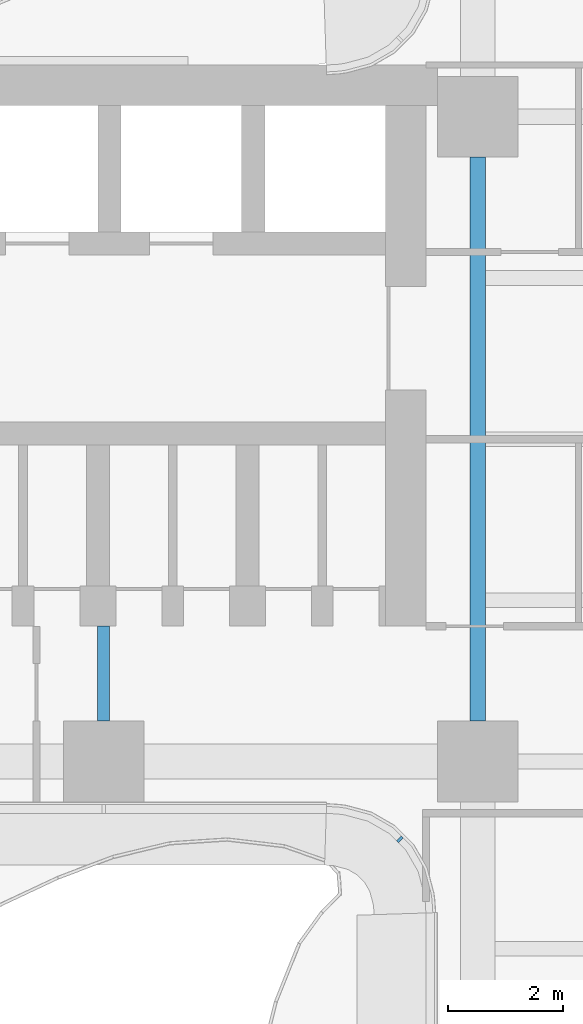
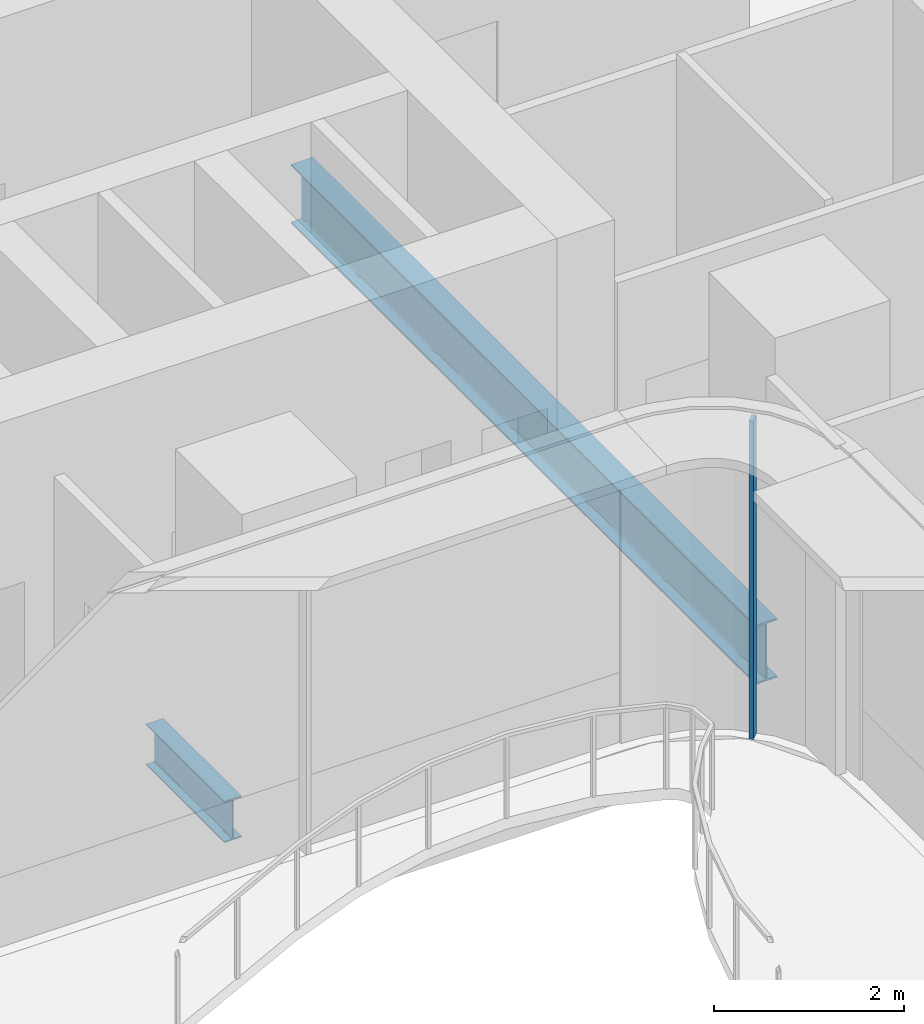
# One storey, part 4 of 22: 2 beams, 1 member, 1 element without a shape of its own.
"""IFC4 building model written with IfcOpenShell, lengths in metres."""

import ifcopenshell
import ifcopenshell.guid

model = None  # the IFC model being written
_history = None  # IfcOwnerHistory: only IFC2X3 demands one
_inside = {}  # id of a spatial element -> (the spatial element, [elements in it])
_under = {}  # id of a project, library or spatial element -> (it, [spatial elements below it])
_declared = {}  # id of a project -> (the project, [libraries it declares])
_typed = {}  # id of a type object -> (the type object, [elements of that type])
_made_of = {}  # id of a material, layer set ... -> (it, [elements and type objects made of it])


def new_model(schema):
    """Start an empty IFC model of exactly this schema.

    Asked for "IFC4X3", IfcOpenShell would pick the latest addendum, in which some entities
    have other attributes; the version numbers below select the first issue.
    IFC2X3 requires an IfcOwnerHistory on every rooted entity: one is made here for all.
    """
    global model, _history
    if schema == "IFC4X3":
        model = ifcopenshell.file(schema_version=(4, 3, 0, 0))
    else:
        model = ifcopenshell.file(schema=schema)
    _inside.clear()
    _under.clear()
    _declared.clear()
    _typed.clear()
    _made_of.clear()
    _history = None
    if model.schema == "IFC2X3":
        org = make("IfcOrganization", Name="unknown")
        user = make(
            "IfcPersonAndOrganization",
            ThePerson=make("IfcPerson", FamilyName="unknown"),
            TheOrganization=org,
        )
        app = make(
            "IfcApplication",
            ApplicationDeveloper=org,
            Version="unknown",
            ApplicationFullName="unknown",
            ApplicationIdentifier="unknown",
        )
        _history = make(
            "IfcOwnerHistory",
            OwningUser=user,
            OwningApplication=app,
            ChangeAction="ADDED",
            CreationDate=0,
        )
    return model


def make(cls, **values):
    """One entity of the class cls with the attributes given. An attribute that is None is left unset."""
    return model.create_entity(
        cls, **{name: value for name, value in values.items() if value is not None}
    )


def rooted(cls, **values):
    """An entity with a GlobalId (a new one), such as an element, a storey or a relation."""
    return make(cls, GlobalId=ifcopenshell.guid.new(), OwnerHistory=_history, **values)


def si_unit(unit_type, name, prefix=None):
    """IfcSIUnit, for example si_unit("LENGTHUNIT", "METRE", prefix="MILLI")."""
    return make("IfcSIUnit", UnitType=unit_type, Prefix=prefix, Name=name)


def assignment(units):
    """IfcUnitAssignment: the units of a project."""
    return None if units is None else make("IfcUnitAssignment", Units=units)


def point(xyz):
    """IfcCartesianPoint."""
    return None if xyz is None else make("IfcCartesianPoint", Coordinates=xyz)


def direction(xyz):
    """IfcDirection."""
    return None if xyz is None else make("IfcDirection", DirectionRatios=xyz)


def frame(location, z_axis=None, x_axis=None):
    """IfcAxis2Placement3D, a coordinate frame: its origin and axes. An axis left out is left unset."""
    return make(
        "IfcAxis2Placement3D",
        Location=point(location),
        Axis=direction(z_axis),
        RefDirection=direction(x_axis),
    )


def frame_2d(location, x_axis=None):
    """IfcAxis2Placement2D, a coordinate frame in the plane: its origin and x axis."""
    return make(
        "IfcAxis2Placement2D", Location=point(location), RefDirection=direction(x_axis)
    )


def origin():
    """The frame at (0, 0, 0) with its axes left unset."""
    return frame((0.0, 0.0, 0.0))


def origin_2d():
    """The frame at (0, 0) in the plane with its x axis left unset."""
    return frame_2d((0.0, 0.0))


def place(relative_to, where):
    """IfcLocalPlacement: puts the frame where relative to a parent placement (None: the world)."""
    return make(
        "IfcLocalPlacement", PlacementRelTo=relative_to, RelativePlacement=where
    )


def context(
    kind, dimensions, precision=None, world=None, true_north=None, identifier=None
):
    """IfcGeometricRepresentationContext, for example the 3D "Model" context."""
    return make(
        "IfcGeometricRepresentationContext",
        ContextIdentifier=identifier,
        ContextType=kind,
        CoordinateSpaceDimension=dimensions,
        Precision=precision,
        WorldCoordinateSystem=world,
        TrueNorth=true_north,
    )


def subcontext(parent, identifier, kind, view, scale=None):
    """IfcGeometricRepresentationSubContext, for example "Body" below "Model"."""
    return make(
        "IfcGeometricRepresentationSubContext",
        ContextIdentifier=identifier,
        ContextType=kind,
        ParentContext=parent,
        TargetScale=scale,
        TargetView=view,
    )


def project(units=None, contexts=None):
    """IfcProject with its units and contexts."""
    return rooted(
        "IfcProject",
        Name="project",
        RepresentationContexts=contexts,
        UnitsInContext=assignment(units),
    )


def spatial(cls, under=None, at=None, **own):
    """A site, building, storey or space (cls), placed at a placement, below another one or the project."""
    s = rooted(cls, ObjectPlacement=at, **own)
    if under is not None:
        _under.setdefault(under.id(), (under, []))[1].append(s)
    return s


def profile(cls, at=None, kind="AREA", **sizes):
    """A parametric profile (cls). Its sizes go by their IFC names, for example OverallWidth=200.0."""
    return make(cls, ProfileType=kind, Position=at, **sizes)


def rectangle(**sizes):
    """IfcRectangleProfileDef."""
    return profile("IfcRectangleProfileDef", **sizes)


def i_section(**sizes):
    """IfcIShapeProfileDef."""
    return profile("IfcIShapeProfileDef", **sizes)


def extrude(swept, where, along, depth):
    """IfcExtrudedAreaSolid: the profile swept, set in the frame where, extruded along a direction by depth."""
    return make(
        "IfcExtrudedAreaSolid",
        SweptArea=swept,
        Position=where,
        ExtrudedDirection=direction(along),
        Depth=depth,
    )


def shape(context_of_items, identifier, shape_type, items):
    """IfcShapeRepresentation: the items that make up one representation, for example the "Body"."""
    return make(
        "IfcShapeRepresentation",
        ContextOfItems=context_of_items,
        RepresentationIdentifier=identifier,
        RepresentationType=shape_type,
        Items=items,
    )


def source(mapping_origin, context_of_items, identifier, shape_type, items):
    """IfcRepresentationMap: a shape defined once, which mapped items show again and again."""
    return make(
        "IfcRepresentationMap",
        MappingOrigin=mapping_origin,
        MappedRepresentation=shape(context_of_items, identifier, shape_type, items),
    )


def transform(
    local_origin,
    x_axis=None,
    y_axis=None,
    z_axis=None,
    scale=None,
    scale2=None,
    scale3=None,
    uniform=True,
):
    """IfcCartesianTransformationOperator3D, or its non-uniform kind. x_axis, y_axis, z_axis: its Axis1, 2, 3."""
    if uniform:
        return make(
            "IfcCartesianTransformationOperator3D",
            Axis1=direction(x_axis),
            Axis2=direction(y_axis),
            LocalOrigin=point(local_origin),
            Scale=scale,
            Axis3=direction(z_axis),
        )
    return make(
        "IfcCartesianTransformationOperator3DnonUniform",
        Axis1=direction(x_axis),
        Axis2=direction(y_axis),
        LocalOrigin=point(local_origin),
        Scale=scale,
        Axis3=direction(z_axis),
        Scale2=scale2,
        Scale3=scale3,
    )


def mapped(mapping_source, mapping_target):
    """IfcMappedItem: shows the shape of a source again, moved by a transform."""
    return make(
        "IfcMappedItem", MappingSource=mapping_source, MappingTarget=mapping_target
    )


def material(Name=None, Category=None):
    """IfcMaterial."""
    return make("IfcMaterial", Name=Name, Category=Category)


def layer(
    of_material, thickness, ventilated=None, Name=None, Category=None, Priority=None
):
    """IfcMaterialLayer: one layer of a wall or slab, of a material (None: an air gap)."""
    return make(
        "IfcMaterialLayer",
        Material=of_material,
        LayerThickness=thickness,
        IsVentilated=ventilated,
        Name=Name,
        Category=Category,
        Priority=Priority,
    )


def layer_set(layers, Name=None):
    """IfcMaterialLayerSet."""
    return make("IfcMaterialLayerSet", MaterialLayers=layers, LayerSetName=Name)


def material_profile(
    of_material, cross_section, Name=None, Category=None, Priority=None
):
    """IfcMaterialProfile: a cross section and its material."""
    return make(
        "IfcMaterialProfile",
        Name=Name,
        Material=of_material,
        Profile=cross_section,
        Priority=Priority,
        Category=Category,
    )


def profile_set(profiles, Name=None, composite=None):
    """IfcMaterialProfileSet."""
    return make(
        "IfcMaterialProfileSet",
        Name=Name,
        MaterialProfiles=profiles,
        CompositeProfile=composite,
    )


def made_of(thing, what):
    """Note that an element or type object is made of a material, layer set ...; save() writes the relation."""
    if what is not None:
        _made_of.setdefault(what.id(), (what, []))[1].append(thing)
    return thing


def type_object(cls, material=None, **own):
    """A type object (cls), such as IfcWallType, which elements share."""
    return made_of(rooted(cls, **own), material)


def element(
    cls,
    number,
    at=None,
    inside=None,
    cuts=None,
    type_object=None,
    material=None,
    context=None,
    identifier="Body",
    shape_type=None,
    held_by="IfcProductDefinitionShape",
    body=None,
    shapes=None,
    **own,
):
    """One element of the class cls, such as IfcWall. Its Tag is "e" and its number.

    at: its placement. inside: the storey or other place that contains it. cuts: it is an
    opening in that element (IfcRelVoidsElement). A single representation is given by context,
    identifier, shape_type and body (its items); several are given by shapes. held_by: the class
    of the entity that holds the representations. save() writes the other relations.
    """
    e = rooted(cls, Tag="e%d" % number, ObjectPlacement=at, **own)
    if body is not None:
        shapes = [shape(context, identifier, shape_type, body)]
    if shapes is not None:
        e.Representation = make(held_by, Representations=shapes)
    if inside is not None:
        _inside.setdefault(inside.id(), (inside, []))[1].append(e)
    if cuts is not None:
        rooted(
            "IfcRelVoidsElement", RelatingBuildingElement=cuts, RelatedOpeningElement=e
        )
    if type_object is not None:
        _typed.setdefault(type_object.id(), (type_object, []))[1].append(e)
    return made_of(e, material)


def aggregate(whole, parts):
    """IfcRelAggregates: a whole, such as a stair, and the parts it consists of."""
    return rooted("IfcRelAggregates", RelatingObject=whole, RelatedObjects=parts)


def save(model, path):
    """Write the relations noted so far, then the file.

    IfcRelAggregates (storeys below a building ...), IfcRelContainedInSpatialStructure (elements
    in a storey), IfcRelDefinesByType, IfcRelAssociatesMaterial and IfcRelDeclares: one each for
    every whole, place, type object, material and project.
    """
    for whole, parts in _under.values():
        aggregate(whole, parts)
    for where, things in _inside.values():
        rooted(
            "IfcRelContainedInSpatialStructure",
            RelatedElements=things,
            RelatingStructure=where,
        )
    for kind, things in _typed.values():
        rooted("IfcRelDefinesByType", RelatedObjects=things, RelatingType=kind)
    for what, things in _made_of.values():
        rooted("IfcRelAssociatesMaterial", RelatedObjects=things, RelatingMaterial=what)
    for by, libraries in _declared.values():
        rooted("IfcRelDeclares", RelatingContext=by, RelatedDefinitions=libraries)
    model.write(path)


model = new_model("IFC4")

# Units and contexts
model_context = context("Model", 3, precision=1e-05, world=origin(), true_north=direction((0.0, 1.0)))
body_context = subcontext(model_context, "Body", "Model", "MODEL_VIEW")
ifc_project = project(units=[si_unit("LENGTHUNIT", "METRE"), si_unit("AREAUNIT", "SQUARE_METRE"), si_unit("VOLUMEUNIT", "CUBIC_METRE"), si_unit("PLANEANGLEUNIT", "RADIAN"), si_unit("MASSUNIT", "GRAM", prefix="KILO")], contexts=[model_context])

# Site, building, storey
site_placement = place(None, origin())
site = spatial("IfcSite", under=ifc_project, at=site_placement, CompositionType="ELEMENT")
building_placement = place(site_placement, origin())
building = spatial("IfcBuilding", under=site, at=building_placement, Name="Trellis Farm Tower", CompositionType="ELEMENT")
storey_placement = place(building_placement, frame((0.0, 0.0, 79.0)))
storey = spatial("IfcBuildingStorey", under=building, at=storey_placement, Name="L16", CompositionType="ELEMENT", Elevation=79.0)

# Beams
ifc_material_1 = material(Name="Steel S355", Category="steel")
ifc_material_profile_1 = material_profile(ifc_material_1, i_section(OverallWidth=0.2666015625, OverallDepth=0.76220703125, WebThickness=0.014404296875, FlangeThickness=0.021484375, FilletRadius=0.0166015625, at=origin_2d()), Name="UB 762x267x173")
ifc_profile_set_1 = profile_set([ifc_material_profile_1], Name="Steel S355")
beam_type_1 = type_object("IfcBeamType", Name="UB 762x267x173", PredefinedType="BEAM", material=ifc_profile_set_1)
shared_shape_1 = source(origin(), body_context, "Body", "SweptSolid", [
    extrude(i_section(OverallWidth=0.2666015625, OverallDepth=0.76220703125, WebThickness=0.014404296875, FlangeThickness=0.021484375, FilletRadius=0.0166015625, at=origin_2d()), origin(), (0.0, 0.0, 1.0), 9.7998046875),
])
beam_1_placement = place(storey_placement, frame((-5.60009765625, -4.89990234375, -0.631103515625), z_axis=(0.0, 1.0, 0.0), x_axis=(-1.0, 0.0, 0.0)))
element("IfcBeam", 1, at=beam_1_placement, inside=storey, type_object=beam_type_1, Name="Girder", PredefinedType="BEAM", context=body_context, shape_type="MappedRepresentation", body=[
    mapped(shared_shape_1, transform((0.0, 0.0, 0.0))),
])
ifc_material_profile_2 = material_profile(ifc_material_1, i_section(OverallWidth=0.209228515625, OverallDepth=0.533203125, WebThickness=0.010009765625, FlangeThickness=0.015625, FilletRadius=0.0126953125, at=origin_2d()), Name="UB 533x210x92")
ifc_profile_set_2 = profile_set([ifc_material_profile_2], Name="Steel S355")
beam_type_2 = type_object("IfcBeamType", Name="UB 533x210x92", PredefinedType="BEAM", material=ifc_profile_set_2)
shared_shape_2 = source(origin(), body_context, "Body", "SweptSolid", [
    extrude(i_section(OverallWidth=0.209228515625, OverallDepth=0.533203125, WebThickness=0.010009765625, FlangeThickness=0.015625, FilletRadius=0.0126953125, at=origin_2d()), origin(), (0.0, 0.0, 1.0), 1.64990234375),
])
beam_2_placement = place(storey_placement, frame((-12.10009765625, -4.89990234375, -0.5166015625), z_axis=(0.0, 1.0, 0.0), x_axis=(-1.0, 0.0, 0.0)))
element("IfcBeam", 2, at=beam_2_placement, inside=storey, type_object=beam_type_2, Name="Girder", PredefinedType="BEAM", context=body_context, shape_type="MappedRepresentation", body=[
    mapped(shared_shape_2, transform((0.0, 0.0, 0.0))),
])

# Curtain wall, member
ifc_material_2 = material(Name="Aluminium and glass curtain wall", Category="aluminium")
ifc_layer = layer(ifc_material_2, 0.166015625)
ifc_layer_set = layer_set([ifc_layer], Name="WINTER GARDEN CURTAIN WALL CW3")
curtain_wall_type = type_object("IfcCurtainWallType", Name="WINTER GARDEN CURTAIN WALL CW3", PredefinedType="NOTDEFINED", material=ifc_layer_set)
curtain_wall_placement = place(storey_placement, origin())
curtain_wall = element("IfcCurtainWall", 3, at=curtain_wall_placement, inside=storey, type_object=curtain_wall_type, Name="CW3 001", PredefinedType="NOTDEFINED")
ifc_material_3 = material(Name="Aluminium extrusion 6063-T6", Category="aluminium")
ifc_material_profile_3 = material_profile(ifc_material_3, rectangle(XDim=0.050048828125, YDim=0.1201171875, at=origin_2d()), Name="MULLION 50x120")
ifc_profile_set_3 = profile_set([ifc_material_profile_3], Name="Aluminium extrusion 6063-T6")
member_type = type_object("IfcMemberType", Name="CW3 MULLION 50x120", PredefinedType="MULLION", material=ifc_profile_set_3)
shared_shape_3 = source(origin(), body_context, "Body", "SweptSolid", [
    extrude(rectangle(XDim=0.050048828125, YDim=0.1201171875, at=origin_2d()), origin(), (0.0, 0.0, 1.0), 4.10009765625),
])
member_placement = place(storey_placement, frame((-6.953125, -6.953125, 0.0), z_axis=(0.0, 0.0, 1.0), x_axis=(0.707106781187, -0.707106781187, 0.0)))
member = element("IfcMember", 4, at=member_placement, type_object=member_type, Name="MU3 001-01", PredefinedType="MULLION", context=body_context, shape_type="MappedRepresentation", body=[
    mapped(shared_shape_3, transform((0.0, 0.0, 0.0))),
])
aggregate(curtain_wall, [member])

save(model, "model.ifc")
